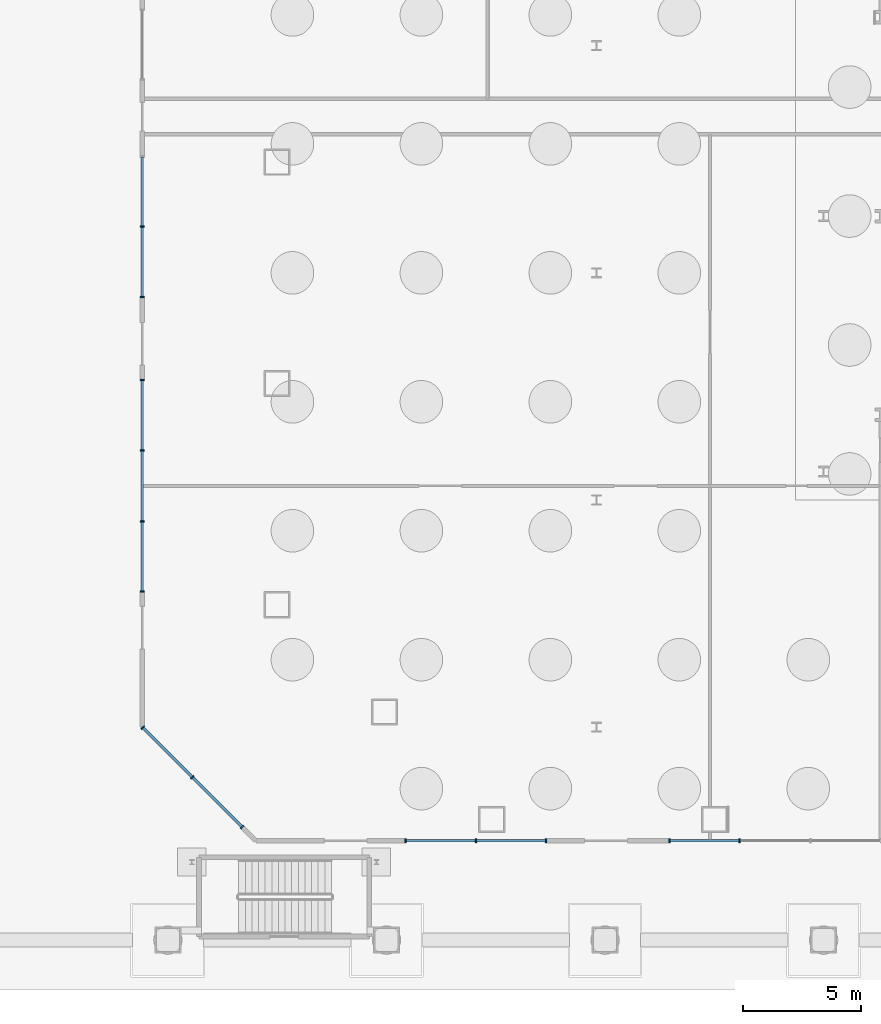
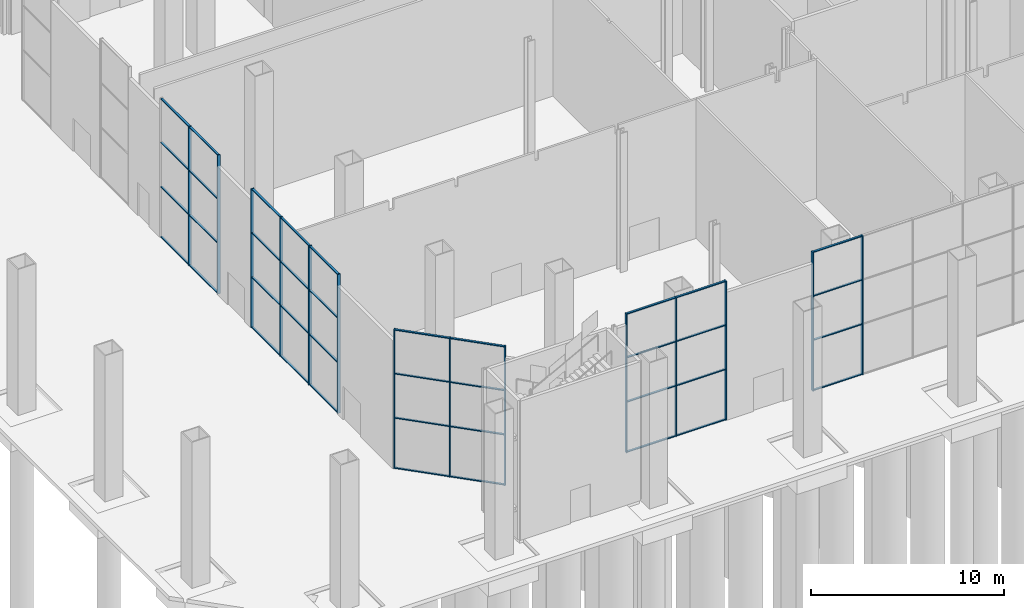
# One storey, part 13 of 38: 54 members, 5 elements without a shape of their own.
"""IFC4 building model written with IfcOpenShell, lengths in metres."""

from ifc_helpers import new_model, si_unit, direction, frame, origin, origin_2d, place, context, subcontext, project, spatial, rectangle, extrude, material, material_profile, profile_set, type_object, element, aggregate, save


model = new_model("IFC4")

# Units and contexts
model_context = context("Model", 3, precision=1e-05, world=origin(), true_north=direction((0.0, 1.0)))
body_context = subcontext(model_context, "Body", "Model", "MODEL_VIEW")
ifc_project = project(units=[si_unit("LENGTHUNIT", "METRE"), si_unit("AREAUNIT", "SQUARE_METRE"), si_unit("VOLUMEUNIT", "CUBIC_METRE"), si_unit("PLANEANGLEUNIT", "RADIAN"), si_unit("MASSUNIT", "GRAM", prefix="KILO")], contexts=[model_context])

# Site, building, storey
site_placement = place(None, origin())
site = spatial("IfcSite", under=ifc_project, at=site_placement, CompositionType="ELEMENT")
building_placement = place(site_placement, origin())
building = spatial("IfcBuilding", under=site, at=building_placement, Name="Cairn Pilgrim Tower", CompositionType="ELEMENT")
storey_placement = place(building_placement, origin())
storey = spatial("IfcBuildingStorey", under=building, at=storey_placement, Name="L00", CompositionType="ELEMENT", Elevation=0.0)

# Curtain wall, members
ifc_material_1 = material(Name="Bronze anodised aluminium with Tinted laminated low-E glass", Category="aluminium")
curtain_wall_type = type_object("IfcCurtainWallType", Name="PAVILION CW", PredefinedType="NOTDEFINED", material=ifc_material_1)
curtain_wall_1_placement = place(storey_placement, origin())
curtain_wall_1 = element("IfcCurtainWall", 1, at=curtain_wall_1_placement, inside=storey, type_object=curtain_wall_type, Name="PAVILION CW 0.2", PredefinedType="NOTDEFINED")
ifc_material_2 = material(Name="Bronze anodised aluminium", Category="aluminium")
ifc_material_profile_1 = material_profile(ifc_material_2, rectangle(XDim=0.179931640625, YDim=0.06005859375, at=origin_2d()), Name="PAVILION MULLION 60x180 BRONZE")
ifc_profile_set_1 = profile_set([ifc_material_profile_1], Name="Bronze anodised aluminium")
member_type_1 = type_object("IfcMemberType", Name="PAVILION MULLION 60x180 BRONZE", PredefinedType="MULLION", material=ifc_profile_set_1)
member_1_placement = place(storey_placement, frame((-22.469970703125, -24.0, 0.0), z_axis=(0.0, 0.0, 1.0), x_axis=(0.0, 1.0, 0.0)))
member_1 = element("IfcMember", 2, at=member_1_placement, type_object=member_type_1, Name="PCW-02 mullion 1", PredefinedType="MULLION", context=body_context, shape_type="SweptSolid", body=[
    extrude(rectangle(XDim=0.179931640625, YDim=0.06005859375, at=origin_2d()), origin(), (0.0, 0.0, 1.0), 8.800048828125),
])
member_2_placement = place(storey_placement, frame((-19.5, -24.0, 0.0), z_axis=(0.0, 0.0, 1.0), x_axis=(0.0, 1.0, 0.0)))
member_2 = element("IfcMember", 3, at=member_2_placement, type_object=member_type_1, Name="PCW-02 mullion 2", PredefinedType="MULLION", context=body_context, shape_type="SweptSolid", body=[
    extrude(rectangle(XDim=0.179931640625, YDim=0.06005859375, at=origin_2d()), origin(), (0.0, 0.0, 1.0), 8.800048828125),
])
member_3_placement = place(storey_placement, frame((-16.530029296875, -24.0, 0.0), z_axis=(0.0, 0.0, 1.0), x_axis=(0.0, 1.0, 0.0)))
member_3 = element("IfcMember", 4, at=member_3_placement, type_object=member_type_1, Name="PCW-02 mullion 3", PredefinedType="MULLION", context=body_context, shape_type="SweptSolid", body=[
    extrude(rectangle(XDim=0.179931640625, YDim=0.06005859375, at=origin_2d()), origin(), (0.0, 0.0, 1.0), 8.800048828125),
])

curtain_wall_2_placement = place(storey_placement, origin())
curtain_wall_2 = element("IfcCurtainWall", 5, at=curtain_wall_2_placement, inside=storey, type_object=curtain_wall_type, Name="PAVILION CW 0.4", PredefinedType="NOTDEFINED")
member_4_placement = place(storey_placement, frame((-11.320068359375, -24.0, 0.0), z_axis=(0.0, 0.0, 1.0), x_axis=(0.0, 1.0, 0.0)))
member_4 = element("IfcMember", 6, at=member_4_placement, type_object=member_type_1, Name="PCW-04 mullion 1", PredefinedType="MULLION", context=body_context, shape_type="SweptSolid", body=[
    extrude(rectangle(XDim=0.179931640625, YDim=0.06005859375, at=origin_2d()), origin(), (0.0, 0.0, 1.0), 8.800048828125),
])
member_5_placement = place(storey_placement, frame((-8.35009765625, -24.0, 0.0), z_axis=(0.0, 0.0, 1.0), x_axis=(0.0, 1.0, 0.0)))
member_5 = element("IfcMember", 7, at=member_5_placement, type_object=member_type_1, Name="PCW-04 mullion 2", PredefinedType="MULLION", context=body_context, shape_type="SweptSolid", body=[
    extrude(rectangle(XDim=0.179931640625, YDim=0.06005859375, at=origin_2d()), origin(), (0.0, 0.0, 1.0), 8.800048828125),
])

curtain_wall_3_placement = place(storey_placement, origin())
curtain_wall_3 = element("IfcCurtainWall", 8, at=curtain_wall_3_placement, inside=storey, type_object=curtain_wall_type, Name="PAVILION CW 6.5", PredefinedType="NOTDEFINED")
member_6_placement = place(storey_placement, frame((-33.60009765625, 1.949951171875, 0.0), z_axis=(0.0, 0.0, 1.0), x_axis=(1.0, 0.0, 0.0)))
member_6 = element("IfcMember", 9, at=member_6_placement, type_object=member_type_1, Name="PCW-65 mullion 2", PredefinedType="MULLION", context=body_context, shape_type="SweptSolid", body=[
    extrude(rectangle(XDim=0.179931640625, YDim=0.06005859375, at=origin_2d()), origin(), (0.0, 0.0, 1.0), 8.800048828125),
])
member_7_placement = place(storey_placement, frame((-33.60009765625, -1.02001953125, 0.0), z_axis=(0.0, 0.0, 1.0), x_axis=(1.0, 0.0, 0.0)))
member_7 = element("IfcMember", 10, at=member_7_placement, type_object=member_type_1, Name="PCW-65 mullion 3", PredefinedType="MULLION", context=body_context, shape_type="SweptSolid", body=[
    extrude(rectangle(XDim=0.179931640625, YDim=0.06005859375, at=origin_2d()), origin(), (0.0, 0.0, 1.0), 8.800048828125),
])

curtain_wall_4_placement = place(storey_placement, origin())
curtain_wall_4 = element("IfcCurtainWall", 11, at=curtain_wall_4_placement, inside=storey, type_object=curtain_wall_type, Name="PAVILION CW 6.7", PredefinedType="NOTDEFINED")
member_8_placement = place(storey_placement, frame((-33.60009765625, -4.530029296875, 0.0), z_axis=(0.0, 0.0, 1.0), x_axis=(1.0, 0.0, 0.0)))
member_8 = element("IfcMember", 12, at=member_8_placement, type_object=member_type_1, Name="PCW-67 mullion 1", PredefinedType="MULLION", context=body_context, shape_type="SweptSolid", body=[
    extrude(rectangle(XDim=0.179931640625, YDim=0.06005859375, at=origin_2d()), origin(), (0.0, 0.0, 1.0), 8.800048828125),
])
member_9_placement = place(storey_placement, frame((-33.60009765625, -7.5, 0.0), z_axis=(0.0, 0.0, 1.0), x_axis=(1.0, 0.0, 0.0)))
member_9 = element("IfcMember", 13, at=member_9_placement, type_object=member_type_1, Name="PCW-67 mullion 2", PredefinedType="MULLION", context=body_context, shape_type="SweptSolid", body=[
    extrude(rectangle(XDim=0.179931640625, YDim=0.06005859375, at=origin_2d()), origin(), (0.0, 0.0, 1.0), 8.800048828125),
])
member_10_placement = place(storey_placement, frame((-33.60009765625, -10.5, 0.0), z_axis=(0.0, 0.0, 1.0), x_axis=(1.0, 0.0, 0.0)))
member_10 = element("IfcMember", 14, at=member_10_placement, type_object=member_type_1, Name="PCW-67 mullion 3", PredefinedType="MULLION", context=body_context, shape_type="SweptSolid", body=[
    extrude(rectangle(XDim=0.179931640625, YDim=0.06005859375, at=origin_2d()), origin(), (0.0, 0.0, 1.0), 8.800048828125),
])
member_11_placement = place(storey_placement, frame((-33.60009765625, -13.469970703125, 0.0), z_axis=(0.0, 0.0, 1.0), x_axis=(1.0, 0.0, 0.0)))
member_11 = element("IfcMember", 15, at=member_11_placement, type_object=member_type_1, Name="PCW-67 mullion 4", PredefinedType="MULLION", context=body_context, shape_type="SweptSolid", body=[
    extrude(rectangle(XDim=0.179931640625, YDim=0.06005859375, at=origin_2d()), origin(), (0.0, 0.0, 1.0), 8.800048828125),
])

curtain_wall_5_placement = place(storey_placement, origin())
curtain_wall_5 = element("IfcCurtainWall", 16, at=curtain_wall_5_placement, inside=storey, type_object=curtain_wall_type, Name="PAVILION CW 7.1", PredefinedType="NOTDEFINED")
member_12_placement = place(storey_placement, frame((-33.578857421875, -19.22119140625, 0.0), z_axis=(0.0, 0.0, 1.0), x_axis=(0.707106781187, 0.707106781187, 0.0)))
member_12 = element("IfcMember", 17, at=member_12_placement, type_object=member_type_1, Name="PCW-71 mullion 1", PredefinedType="MULLION", context=body_context, shape_type="SweptSolid", body=[
    extrude(rectangle(XDim=0.179931640625, YDim=0.06005859375, at=origin_2d()), origin(), (0.0, 0.0, 1.0), 8.800048828125),
])
member_13_placement = place(storey_placement, frame((-31.478759765625, -21.3212890625, 0.0), z_axis=(0.0, 0.0, 1.0), x_axis=(0.707106781187, 0.707106781187, 0.0)))
member_13 = element("IfcMember", 18, at=member_13_placement, type_object=member_type_1, Name="PCW-71 mullion 2", PredefinedType="MULLION", context=body_context, shape_type="SweptSolid", body=[
    extrude(rectangle(XDim=0.179931640625, YDim=0.06005859375, at=origin_2d()), origin(), (0.0, 0.0, 1.0), 8.800048828125),
])
member_14_placement = place(storey_placement, frame((-29.378662109375, -23.42138671875, 0.0), z_axis=(0.0, 0.0, 1.0), x_axis=(0.707106781187, 0.707106781187, 0.0)))
member_14 = element("IfcMember", 19, at=member_14_placement, type_object=member_type_1, Name="PCW-71 mullion 3", PredefinedType="MULLION", context=body_context, shape_type="SweptSolid", body=[
    extrude(rectangle(XDim=0.179931640625, YDim=0.06005859375, at=origin_2d()), origin(), (0.0, 0.0, 1.0), 8.800048828125),
])

# Member
ifc_material_profile_2 = material_profile(ifc_material_2, rectangle(XDim=0.1201171875, YDim=0.06005859375, at=origin_2d()), Name="PAVILION TRANSOM 60x120 BRONZE")
ifc_profile_set_2 = profile_set([ifc_material_profile_2], Name="Bronze anodised aluminium")
member_type_2 = type_object("IfcMemberType", Name="PAVILION TRANSOM 60x120 BRONZE", PredefinedType="USERDEFINED", material=ifc_profile_set_2)
member_15_placement = place(storey_placement, frame((-22.43994140625, -24.0, 0.030029296875), z_axis=(1.0, 0.0, 0.0), x_axis=(0.0, 1.0, 0.0)))
member_15 = element("IfcMember", 20, at=member_15_placement, type_object=member_type_2, Name="PCW-02 transom 1.1", ObjectType="TRANSOM", PredefinedType="USERDEFINED", context=body_context, shape_type="SweptSolid", body=[
    extrude(rectangle(XDim=0.1201171875, YDim=0.06005859375, at=origin_2d()), origin(), (0.0, 0.0, 1.0), 2.909912109375),
])

member_16_placement = place(storey_placement, frame((-22.43994140625, -24.0, 3.199951171875), z_axis=(1.0, 0.0, 0.0), x_axis=(0.0, 1.0, 0.0)))
member_16 = element("IfcMember", 21, at=member_16_placement, type_object=member_type_2, Name="PCW-02 transom 1.2", ObjectType="TRANSOM", PredefinedType="USERDEFINED", context=body_context, shape_type="SweptSolid", body=[
    extrude(rectangle(XDim=0.1201171875, YDim=0.06005859375, at=origin_2d()), origin(), (0.0, 0.0, 1.0), 2.909912109375),
])

member_17_placement = place(storey_placement, frame((-22.43994140625, -24.0, 6.0), z_axis=(1.0, 0.0, 0.0), x_axis=(0.0, 1.0, 0.0)))
member_17 = element("IfcMember", 22, at=member_17_placement, type_object=member_type_2, Name="PCW-02 transom 1.3", ObjectType="TRANSOM", PredefinedType="USERDEFINED", context=body_context, shape_type="SweptSolid", body=[
    extrude(rectangle(XDim=0.1201171875, YDim=0.06005859375, at=origin_2d()), origin(), (0.0, 0.0, 1.0), 2.909912109375),
])

member_18_placement = place(storey_placement, frame((-22.43994140625, -24.0, 8.77001953125), z_axis=(1.0, 0.0, 0.0), x_axis=(0.0, 1.0, 0.0)))
member_18 = element("IfcMember", 23, at=member_18_placement, type_object=member_type_2, Name="PCW-02 transom 1.4", ObjectType="TRANSOM", PredefinedType="USERDEFINED", context=body_context, shape_type="SweptSolid", body=[
    extrude(rectangle(XDim=0.1201171875, YDim=0.06005859375, at=origin_2d()), origin(), (0.0, 0.0, 1.0), 2.909912109375),
])

member_19_placement = place(storey_placement, frame((-19.469970703125, -24.0, 0.030029296875), z_axis=(1.0, 0.0, 0.0), x_axis=(0.0, 1.0, 0.0)))
member_19 = element("IfcMember", 24, at=member_19_placement, type_object=member_type_2, Name="PCW-02 transom 2.1", ObjectType="TRANSOM", PredefinedType="USERDEFINED", context=body_context, shape_type="SweptSolid", body=[
    extrude(rectangle(XDim=0.1201171875, YDim=0.06005859375, at=origin_2d()), origin(), (0.0, 0.0, 1.0), 2.909912109375),
])

member_20_placement = place(storey_placement, frame((-19.469970703125, -24.0, 3.199951171875), z_axis=(1.0, 0.0, 0.0), x_axis=(0.0, 1.0, 0.0)))
member_20 = element("IfcMember", 25, at=member_20_placement, type_object=member_type_2, Name="PCW-02 transom 2.2", ObjectType="TRANSOM", PredefinedType="USERDEFINED", context=body_context, shape_type="SweptSolid", body=[
    extrude(rectangle(XDim=0.1201171875, YDim=0.06005859375, at=origin_2d()), origin(), (0.0, 0.0, 1.0), 2.909912109375),
])

member_21_placement = place(storey_placement, frame((-19.469970703125, -24.0, 6.0), z_axis=(1.0, 0.0, 0.0), x_axis=(0.0, 1.0, 0.0)))
member_21 = element("IfcMember", 26, at=member_21_placement, type_object=member_type_2, Name="PCW-02 transom 2.3", ObjectType="TRANSOM", PredefinedType="USERDEFINED", context=body_context, shape_type="SweptSolid", body=[
    extrude(rectangle(XDim=0.1201171875, YDim=0.06005859375, at=origin_2d()), origin(), (0.0, 0.0, 1.0), 2.909912109375),
])

member_22_placement = place(storey_placement, frame((-19.469970703125, -24.0, 8.77001953125), z_axis=(1.0, 0.0, 0.0), x_axis=(0.0, 1.0, 0.0)))
member_22 = element("IfcMember", 27, at=member_22_placement, type_object=member_type_2, Name="PCW-02 transom 2.4", ObjectType="TRANSOM", PredefinedType="USERDEFINED", context=body_context, shape_type="SweptSolid", body=[
    extrude(rectangle(XDim=0.1201171875, YDim=0.06005859375, at=origin_2d()), origin(), (0.0, 0.0, 1.0), 2.909912109375),
])

aggregate(curtain_wall_1, [member_1, member_2, member_3, member_15, member_16, member_17, member_18, member_19, member_20, member_21, member_22])

member_23_placement = place(storey_placement, frame((-11.2900390625, -24.0, 0.030029296875), z_axis=(1.0, 0.0, 0.0), x_axis=(0.0, 1.0, 0.0)))
member_23 = element("IfcMember", 28, at=member_23_placement, type_object=member_type_2, Name="PCW-04 transom 1.1", ObjectType="TRANSOM", PredefinedType="USERDEFINED", context=body_context, shape_type="SweptSolid", body=[
    extrude(rectangle(XDim=0.1201171875, YDim=0.06005859375, at=origin_2d()), origin(), (0.0, 0.0, 1.0), 2.91015625),
])

member_24_placement = place(storey_placement, frame((-11.2900390625, -24.0, 3.199951171875), z_axis=(1.0, 0.0, 0.0), x_axis=(0.0, 1.0, 0.0)))
member_24 = element("IfcMember", 29, at=member_24_placement, type_object=member_type_2, Name="PCW-04 transom 1.2", ObjectType="TRANSOM", PredefinedType="USERDEFINED", context=body_context, shape_type="SweptSolid", body=[
    extrude(rectangle(XDim=0.1201171875, YDim=0.06005859375, at=origin_2d()), origin(), (0.0, 0.0, 1.0), 2.91015625),
])

member_25_placement = place(storey_placement, frame((-11.2900390625, -24.0, 6.0), z_axis=(1.0, 0.0, 0.0), x_axis=(0.0, 1.0, 0.0)))
member_25 = element("IfcMember", 30, at=member_25_placement, type_object=member_type_2, Name="PCW-04 transom 1.3", ObjectType="TRANSOM", PredefinedType="USERDEFINED", context=body_context, shape_type="SweptSolid", body=[
    extrude(rectangle(XDim=0.1201171875, YDim=0.06005859375, at=origin_2d()), origin(), (0.0, 0.0, 1.0), 2.91015625),
])

member_26_placement = place(storey_placement, frame((-11.2900390625, -24.0, 8.77001953125), z_axis=(1.0, 0.0, 0.0), x_axis=(0.0, 1.0, 0.0)))
member_26 = element("IfcMember", 31, at=member_26_placement, type_object=member_type_2, Name="PCW-04 transom 1.4", ObjectType="TRANSOM", PredefinedType="USERDEFINED", context=body_context, shape_type="SweptSolid", body=[
    extrude(rectangle(XDim=0.1201171875, YDim=0.06005859375, at=origin_2d()), origin(), (0.0, 0.0, 1.0), 2.91015625),
])

aggregate(curtain_wall_2, [member_4, member_5, member_23, member_24, member_25, member_26])

member_27_placement = place(storey_placement, frame((-33.60009765625, 4.889892578125, 0.030029296875), z_axis=(0.0, -1.0, 0.0), x_axis=(1.0, 0.0, 0.0)))
member_27 = element("IfcMember", 32, at=member_27_placement, type_object=member_type_2, Name="PCW-65 transom 1.1", ObjectType="TRANSOM", PredefinedType="USERDEFINED", context=body_context, shape_type="SweptSolid", body=[
    extrude(rectangle(XDim=0.1201171875, YDim=0.06005859375, at=origin_2d()), origin(), (0.0, 0.0, 1.0), 2.909912109375),
])

member_28_placement = place(storey_placement, frame((-33.60009765625, 4.889892578125, 3.199951171875), z_axis=(0.0, -1.0, 0.0), x_axis=(1.0, 0.0, 0.0)))
member_28 = element("IfcMember", 33, at=member_28_placement, type_object=member_type_2, Name="PCW-65 transom 1.2", ObjectType="TRANSOM", PredefinedType="USERDEFINED", context=body_context, shape_type="SweptSolid", body=[
    extrude(rectangle(XDim=0.1201171875, YDim=0.06005859375, at=origin_2d()), origin(), (0.0, 0.0, 1.0), 2.909912109375),
])

member_29_placement = place(storey_placement, frame((-33.60009765625, 4.889892578125, 6.0), z_axis=(0.0, -1.0, 0.0), x_axis=(1.0, 0.0, 0.0)))
member_29 = element("IfcMember", 34, at=member_29_placement, type_object=member_type_2, Name="PCW-65 transom 1.3", ObjectType="TRANSOM", PredefinedType="USERDEFINED", context=body_context, shape_type="SweptSolid", body=[
    extrude(rectangle(XDim=0.1201171875, YDim=0.06005859375, at=origin_2d()), origin(), (0.0, 0.0, 1.0), 2.909912109375),
])

member_30_placement = place(storey_placement, frame((-33.60009765625, 4.889892578125, 8.77001953125), z_axis=(0.0, -1.0, 0.0), x_axis=(1.0, 0.0, 0.0)))
member_30 = element("IfcMember", 35, at=member_30_placement, type_object=member_type_2, Name="PCW-65 transom 1.4", ObjectType="TRANSOM", PredefinedType="USERDEFINED", context=body_context, shape_type="SweptSolid", body=[
    extrude(rectangle(XDim=0.1201171875, YDim=0.06005859375, at=origin_2d()), origin(), (0.0, 0.0, 1.0), 2.909912109375),
])

member_31_placement = place(storey_placement, frame((-33.60009765625, 1.919921875, 0.030029296875), z_axis=(0.0, -1.0, 0.0), x_axis=(1.0, 0.0, 0.0)))
member_31 = element("IfcMember", 36, at=member_31_placement, type_object=member_type_2, Name="PCW-65 transom 2.1", ObjectType="TRANSOM", PredefinedType="USERDEFINED", context=body_context, shape_type="SweptSolid", body=[
    extrude(rectangle(XDim=0.1201171875, YDim=0.06005859375, at=origin_2d()), origin(), (0.0, 0.0, 1.0), 2.909912109375),
])

member_32_placement = place(storey_placement, frame((-33.60009765625, 1.919921875, 3.199951171875), z_axis=(0.0, -1.0, 0.0), x_axis=(1.0, 0.0, 0.0)))
member_32 = element("IfcMember", 37, at=member_32_placement, type_object=member_type_2, Name="PCW-65 transom 2.2", ObjectType="TRANSOM", PredefinedType="USERDEFINED", context=body_context, shape_type="SweptSolid", body=[
    extrude(rectangle(XDim=0.1201171875, YDim=0.06005859375, at=origin_2d()), origin(), (0.0, 0.0, 1.0), 2.909912109375),
])

member_33_placement = place(storey_placement, frame((-33.60009765625, 1.919921875, 6.0), z_axis=(0.0, -1.0, 0.0), x_axis=(1.0, 0.0, 0.0)))
member_33 = element("IfcMember", 38, at=member_33_placement, type_object=member_type_2, Name="PCW-65 transom 2.3", ObjectType="TRANSOM", PredefinedType="USERDEFINED", context=body_context, shape_type="SweptSolid", body=[
    extrude(rectangle(XDim=0.1201171875, YDim=0.06005859375, at=origin_2d()), origin(), (0.0, 0.0, 1.0), 2.909912109375),
])

member_34_placement = place(storey_placement, frame((-33.60009765625, 1.919921875, 8.77001953125), z_axis=(0.0, -1.0, 0.0), x_axis=(1.0, 0.0, 0.0)))
member_34 = element("IfcMember", 39, at=member_34_placement, type_object=member_type_2, Name="PCW-65 transom 2.4", ObjectType="TRANSOM", PredefinedType="USERDEFINED", context=body_context, shape_type="SweptSolid", body=[
    extrude(rectangle(XDim=0.1201171875, YDim=0.06005859375, at=origin_2d()), origin(), (0.0, 0.0, 1.0), 2.909912109375),
])

aggregate(curtain_wall_3, [member_6, member_7, member_27, member_28, member_29, member_30, member_31, member_32, member_33, member_34])

member_35_placement = place(storey_placement, frame((-33.60009765625, -4.56005859375, 0.030029296875), z_axis=(0.0, -1.0, 0.0), x_axis=(1.0, 0.0, 0.0)))
member_35 = element("IfcMember", 40, at=member_35_placement, type_object=member_type_2, Name="PCW-67 transom 1.1", ObjectType="TRANSOM", PredefinedType="USERDEFINED", context=body_context, shape_type="SweptSolid", body=[
    extrude(rectangle(XDim=0.1201171875, YDim=0.06005859375, at=origin_2d()), origin(), (0.0, 0.0, 1.0), 2.909912109375),
])

member_36_placement = place(storey_placement, frame((-33.60009765625, -4.56005859375, 3.199951171875), z_axis=(0.0, -1.0, 0.0), x_axis=(1.0, 0.0, 0.0)))
member_36 = element("IfcMember", 41, at=member_36_placement, type_object=member_type_2, Name="PCW-67 transom 1.2", ObjectType="TRANSOM", PredefinedType="USERDEFINED", context=body_context, shape_type="SweptSolid", body=[
    extrude(rectangle(XDim=0.1201171875, YDim=0.06005859375, at=origin_2d()), origin(), (0.0, 0.0, 1.0), 2.909912109375),
])

member_37_placement = place(storey_placement, frame((-33.60009765625, -4.56005859375, 6.0), z_axis=(0.0, -1.0, 0.0), x_axis=(1.0, 0.0, 0.0)))
member_37 = element("IfcMember", 42, at=member_37_placement, type_object=member_type_2, Name="PCW-67 transom 1.3", ObjectType="TRANSOM", PredefinedType="USERDEFINED", context=body_context, shape_type="SweptSolid", body=[
    extrude(rectangle(XDim=0.1201171875, YDim=0.06005859375, at=origin_2d()), origin(), (0.0, 0.0, 1.0), 2.909912109375),
])

member_38_placement = place(storey_placement, frame((-33.60009765625, -4.56005859375, 8.77001953125), z_axis=(0.0, -1.0, 0.0), x_axis=(1.0, 0.0, 0.0)))
member_38 = element("IfcMember", 43, at=member_38_placement, type_object=member_type_2, Name="PCW-67 transom 1.4", ObjectType="TRANSOM", PredefinedType="USERDEFINED", context=body_context, shape_type="SweptSolid", body=[
    extrude(rectangle(XDim=0.1201171875, YDim=0.06005859375, at=origin_2d()), origin(), (0.0, 0.0, 1.0), 2.909912109375),
])

member_39_placement = place(storey_placement, frame((-33.60009765625, -7.530029296875, 0.030029296875), z_axis=(0.0, -1.0, 0.0), x_axis=(1.0, 0.0, 0.0)))
member_39 = element("IfcMember", 44, at=member_39_placement, type_object=member_type_2, Name="PCW-67 transom 2.1", ObjectType="TRANSOM", PredefinedType="USERDEFINED", context=body_context, shape_type="SweptSolid", body=[
    extrude(rectangle(XDim=0.1201171875, YDim=0.06005859375, at=origin_2d()), origin(), (0.0, 0.0, 1.0), 2.93994140625),
])

member_40_placement = place(storey_placement, frame((-33.60009765625, -7.530029296875, 3.199951171875), z_axis=(0.0, -1.0, 0.0), x_axis=(1.0, 0.0, 0.0)))
member_40 = element("IfcMember", 45, at=member_40_placement, type_object=member_type_2, Name="PCW-67 transom 2.2", ObjectType="TRANSOM", PredefinedType="USERDEFINED", context=body_context, shape_type="SweptSolid", body=[
    extrude(rectangle(XDim=0.1201171875, YDim=0.06005859375, at=origin_2d()), origin(), (0.0, 0.0, 1.0), 2.93994140625),
])

member_41_placement = place(storey_placement, frame((-33.60009765625, -7.530029296875, 6.0), z_axis=(0.0, -1.0, 0.0), x_axis=(1.0, 0.0, 0.0)))
member_41 = element("IfcMember", 46, at=member_41_placement, type_object=member_type_2, Name="PCW-67 transom 2.3", ObjectType="TRANSOM", PredefinedType="USERDEFINED", context=body_context, shape_type="SweptSolid", body=[
    extrude(rectangle(XDim=0.1201171875, YDim=0.06005859375, at=origin_2d()), origin(), (0.0, 0.0, 1.0), 2.93994140625),
])

member_42_placement = place(storey_placement, frame((-33.60009765625, -7.530029296875, 8.77001953125), z_axis=(0.0, -1.0, 0.0), x_axis=(1.0, 0.0, 0.0)))
member_42 = element("IfcMember", 47, at=member_42_placement, type_object=member_type_2, Name="PCW-67 transom 2.4", ObjectType="TRANSOM", PredefinedType="USERDEFINED", context=body_context, shape_type="SweptSolid", body=[
    extrude(rectangle(XDim=0.1201171875, YDim=0.06005859375, at=origin_2d()), origin(), (0.0, 0.0, 1.0), 2.93994140625),
])

member_43_placement = place(storey_placement, frame((-33.60009765625, -10.530029296875, 0.030029296875), z_axis=(0.0, -1.0, 0.0), x_axis=(1.0, 0.0, 0.0)))
member_43 = element("IfcMember", 48, at=member_43_placement, type_object=member_type_2, Name="PCW-67 transom 3.1", ObjectType="TRANSOM", PredefinedType="USERDEFINED", context=body_context, shape_type="SweptSolid", body=[
    extrude(rectangle(XDim=0.1201171875, YDim=0.06005859375, at=origin_2d()), origin(), (0.0, 0.0, 1.0), 2.909912109375),
])

member_44_placement = place(storey_placement, frame((-33.60009765625, -10.530029296875, 3.199951171875), z_axis=(0.0, -1.0, 0.0), x_axis=(1.0, 0.0, 0.0)))
member_44 = element("IfcMember", 49, at=member_44_placement, type_object=member_type_2, Name="PCW-67 transom 3.2", ObjectType="TRANSOM", PredefinedType="USERDEFINED", context=body_context, shape_type="SweptSolid", body=[
    extrude(rectangle(XDim=0.1201171875, YDim=0.06005859375, at=origin_2d()), origin(), (0.0, 0.0, 1.0), 2.909912109375),
])

member_45_placement = place(storey_placement, frame((-33.60009765625, -10.530029296875, 6.0), z_axis=(0.0, -1.0, 0.0), x_axis=(1.0, 0.0, 0.0)))
member_45 = element("IfcMember", 50, at=member_45_placement, type_object=member_type_2, Name="PCW-67 transom 3.3", ObjectType="TRANSOM", PredefinedType="USERDEFINED", context=body_context, shape_type="SweptSolid", body=[
    extrude(rectangle(XDim=0.1201171875, YDim=0.06005859375, at=origin_2d()), origin(), (0.0, 0.0, 1.0), 2.909912109375),
])

member_46_placement = place(storey_placement, frame((-33.60009765625, -10.530029296875, 8.77001953125), z_axis=(0.0, -1.0, 0.0), x_axis=(1.0, 0.0, 0.0)))
member_46 = element("IfcMember", 51, at=member_46_placement, type_object=member_type_2, Name="PCW-67 transom 3.4", ObjectType="TRANSOM", PredefinedType="USERDEFINED", context=body_context, shape_type="SweptSolid", body=[
    extrude(rectangle(XDim=0.1201171875, YDim=0.06005859375, at=origin_2d()), origin(), (0.0, 0.0, 1.0), 2.909912109375),
])

aggregate(curtain_wall_4, [member_8, member_9, member_10, member_11, member_35, member_36, member_37, member_38, member_39, member_40, member_41, member_42, member_43, member_44, member_45, member_46])

member_47_placement = place(storey_placement, frame((-33.5576171875, -19.242431640625, 0.030029296875), z_axis=(0.707106781187, -0.707106781187, 0.0), x_axis=(0.707106781187, 0.707106781187, 0.0)))
member_47 = element("IfcMember", 52, at=member_47_placement, type_object=member_type_2, Name="PCW-71 transom 1.1", ObjectType="TRANSOM", PredefinedType="USERDEFINED", context=body_context, shape_type="SweptSolid", body=[
    extrude(rectangle(XDim=0.1201171875, YDim=0.06005859375, at=origin_2d()), origin(), (0.0, 0.0, 1.0), 2.909912109375),
])

member_48_placement = place(storey_placement, frame((-33.5576171875, -19.242431640625, 3.199951171875), z_axis=(0.707106781187, -0.707106781187, 0.0), x_axis=(0.707106781187, 0.707106781187, 0.0)))
member_48 = element("IfcMember", 53, at=member_48_placement, type_object=member_type_2, Name="PCW-71 transom 1.2", ObjectType="TRANSOM", PredefinedType="USERDEFINED", context=body_context, shape_type="SweptSolid", body=[
    extrude(rectangle(XDim=0.1201171875, YDim=0.06005859375, at=origin_2d()), origin(), (0.0, 0.0, 1.0), 2.909912109375),
])

member_49_placement = place(storey_placement, frame((-33.5576171875, -19.242431640625, 6.0), z_axis=(0.707106781187, -0.707106781187, 0.0), x_axis=(0.707106781187, 0.707106781187, 0.0)))
member_49 = element("IfcMember", 54, at=member_49_placement, type_object=member_type_2, Name="PCW-71 transom 1.3", ObjectType="TRANSOM", PredefinedType="USERDEFINED", context=body_context, shape_type="SweptSolid", body=[
    extrude(rectangle(XDim=0.1201171875, YDim=0.06005859375, at=origin_2d()), origin(), (0.0, 0.0, 1.0), 2.909912109375),
])

member_50_placement = place(storey_placement, frame((-33.5576171875, -19.242431640625, 8.77001953125), z_axis=(0.707106781187, -0.707106781187, 0.0), x_axis=(0.707106781187, 0.707106781187, 0.0)))
member_50 = element("IfcMember", 55, at=member_50_placement, type_object=member_type_2, Name="PCW-71 transom 1.4", ObjectType="TRANSOM", PredefinedType="USERDEFINED", context=body_context, shape_type="SweptSolid", body=[
    extrude(rectangle(XDim=0.1201171875, YDim=0.06005859375, at=origin_2d()), origin(), (0.0, 0.0, 1.0), 2.909912109375),
])

member_51_placement = place(storey_placement, frame((-31.45751953125, -21.342529296875, 0.030029296875), z_axis=(0.707106781187, -0.707106781187, 0.0), x_axis=(0.707106781187, 0.707106781187, 0.0)))
member_51 = element("IfcMember", 56, at=member_51_placement, type_object=member_type_2, Name="PCW-71 transom 2.1", ObjectType="TRANSOM", PredefinedType="USERDEFINED", context=body_context, shape_type="SweptSolid", body=[
    extrude(rectangle(XDim=0.1201171875, YDim=0.06005859375, at=origin_2d()), origin(), (0.0, 0.0, 1.0), 2.909912109375),
])

member_52_placement = place(storey_placement, frame((-31.45751953125, -21.342529296875, 3.199951171875), z_axis=(0.707106781187, -0.707106781187, 0.0), x_axis=(0.707106781187, 0.707106781187, 0.0)))
member_52 = element("IfcMember", 57, at=member_52_placement, type_object=member_type_2, Name="PCW-71 transom 2.2", ObjectType="TRANSOM", PredefinedType="USERDEFINED", context=body_context, shape_type="SweptSolid", body=[
    extrude(rectangle(XDim=0.1201171875, YDim=0.06005859375, at=origin_2d()), origin(), (0.0, 0.0, 1.0), 2.909912109375),
])

member_53_placement = place(storey_placement, frame((-31.45751953125, -21.342529296875, 6.0), z_axis=(0.707106781187, -0.707106781187, 0.0), x_axis=(0.707106781187, 0.707106781187, 0.0)))
member_53 = element("IfcMember", 58, at=member_53_placement, type_object=member_type_2, Name="PCW-71 transom 2.3", ObjectType="TRANSOM", PredefinedType="USERDEFINED", context=body_context, shape_type="SweptSolid", body=[
    extrude(rectangle(XDim=0.1201171875, YDim=0.06005859375, at=origin_2d()), origin(), (0.0, 0.0, 1.0), 2.909912109375),
])

member_54_placement = place(storey_placement, frame((-31.45751953125, -21.342529296875, 8.77001953125), z_axis=(0.707106781187, -0.707106781187, 0.0), x_axis=(0.707106781187, 0.707106781187, 0.0)))
member_54 = element("IfcMember", 59, at=member_54_placement, type_object=member_type_2, Name="PCW-71 transom 2.4", ObjectType="TRANSOM", PredefinedType="USERDEFINED", context=body_context, shape_type="SweptSolid", body=[
    extrude(rectangle(XDim=0.1201171875, YDim=0.06005859375, at=origin_2d()), origin(), (0.0, 0.0, 1.0), 2.909912109375),
])

aggregate(curtain_wall_5, [member_12, member_13, member_14, member_47, member_48, member_49, member_50, member_51, member_52, member_53, member_54])

save(model, "model.ifc")
